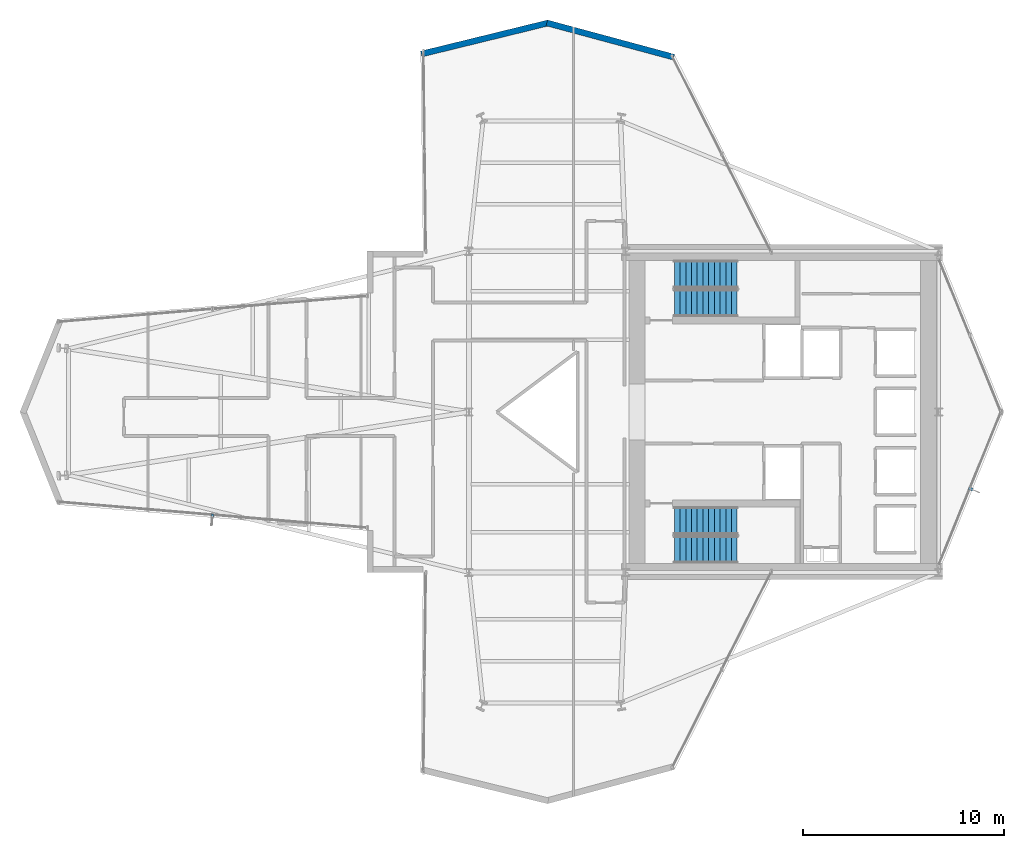
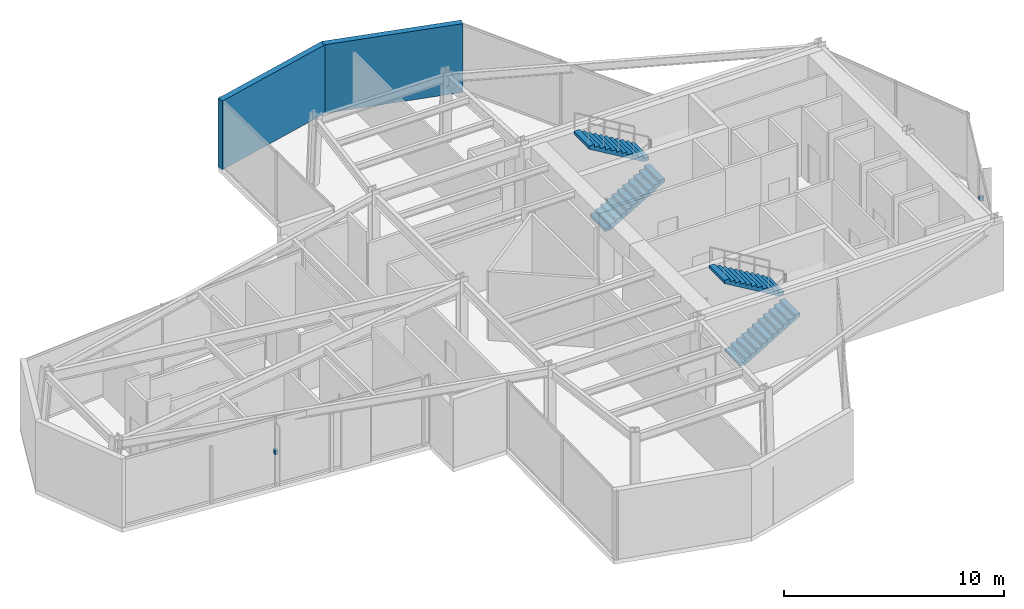
# One storey, part 24 of 25: 4 stair flights, 2 discrete accessories, 2 walls, 2 elements without a shape of their own.
"""IFC4 building model written with IfcOpenShell, lengths in metres."""

from ifc_helpers import new_model, si_unit, direction, frame, frame_2d, origin, origin_2d, place, context, subcontext, project, spatial, polyline, rectangle, outline, extrude, material, layer, layer_set, type_object, element, aggregate, save


model = new_model("IFC4")

# Units and contexts
model_context = context("Model", 3, precision=1e-05, world=origin(), true_north=direction((0.0, 1.0)))
body_context = subcontext(model_context, "Body", "Model", "MODEL_VIEW")
ifc_project = project(units=[si_unit("LENGTHUNIT", "METRE"), si_unit("AREAUNIT", "SQUARE_METRE"), si_unit("VOLUMEUNIT", "CUBIC_METRE"), si_unit("PLANEANGLEUNIT", "RADIAN"), si_unit("MASSUNIT", "GRAM", prefix="KILO")], contexts=[model_context])

# Site, building, storey
site_placement = place(None, origin())
site = spatial("IfcSite", under=ifc_project, at=site_placement, CompositionType="ELEMENT")
building_placement = place(site_placement, origin())
building = spatial("IfcBuilding", under=site, at=building_placement, Name="Veymaron Broadcast Tower", CompositionType="ELEMENT")
storey_placement = place(building_placement, frame((0.0, 0.0, 137.10009765625)))
storey = spatial("IfcBuildingStorey", under=building, at=storey_placement, Name="L31", CompositionType="ELEMENT", Elevation=137.10009765625)

# Walls
ifc_material_1 = material(Name="Precast concrete C40/50 with mineral-wool insulation", Category="concrete")
ifc_layer_1 = layer(ifc_material_1, 0.300048828125)
ifc_layer_set_1 = layer_set([ifc_layer_1], Name="Precast concrete C40/50 with mineral-wool insulation")
wall_type = type_object("IfcWallType", Name="WALL-EXT-300", PredefinedType="STANDARD", material=ifc_layer_set_1)
wall_1_placement = place(storey_placement, frame((41.403564453125, 41.6748046875, 0.0), z_axis=(0.0, 0.0, 1.0), x_axis=(-0.965531145086, 0.260287548434, 0.0)))
element("IfcWall", 1, at=wall_1_placement, inside=storey, type_object=wall_type, Name="L31 notched corner facade pier 6-1", PredefinedType="STANDARD", context=body_context, shape_type="SweptSolid", body=[
    extrude(rectangle(XDim=6.55078125, YDim=0.300048828125, at=frame_2d((3.275390625, 0.0))), origin(), (0.0, 0.0, 1.0), 3.809814453125),
])
wall_2_placement = place(storey_placement, frame((35.148193359375, 43.37890625, 0.0), z_axis=(0.0, 0.0, 1.0), x_axis=(-0.971267606245, -0.23798999361, 0.0)))
element("IfcWall", 2, at=wall_2_placement, inside=storey, type_object=wall_type, Name="L31 notched corner facade pier 7-1", PredefinedType="STANDARD", context=body_context, shape_type="SweptSolid", body=[
    extrude(rectangle(XDim=6.511962890625, YDim=0.300048828125, at=frame_2d((3.255859375, 0.0))), origin(), (0.0, 0.0, 1.0), 3.809814453125),
])

# Stair, stair flights
ifc_material_2 = material(Name="Concrete C50/60", Category="concrete")
stair_type_1 = type_object("IfcStairType", Name="STAIR-CORE-1", PredefinedType="HALF_TURN_STAIR", material=ifc_material_2)
stair_1_placement = place(storey_placement, origin())
stair_1 = element("IfcStair", 3, at=stair_1_placement, inside=storey, type_object=stair_type_1, Name="L31 North protected dog-leg exit stair ST1", PredefinedType="HALF_TURN_STAIR")
ifc_material_3 = material(Name="Precast concrete C50/60", Category="concrete")
stair_flight_type = type_object("IfcStairFlightType", Name="FLT-CORE-RC", PredefinedType="STRAIGHT", material=ifc_material_3)
stair_flight_1_placement = place(storey_placement, frame((41.429931640625, 29.419921875, 0.0), z_axis=(0.0, 0.0, 1.0), x_axis=(1.0, 0.0, 0.0)))
stair_flight_1 = element("IfcStairFlight", 4, at=stair_flight_1_placement, type_object=stair_flight_type, Name="ST1 flight 1", NumberOfRisers=12, NumberOfTreads=11, PredefinedType="STRAIGHT", RiserHeight=0.16875, TreadLength=0.285, context=body_context, shape_type="SweptSolid", body=[
    extrude(outline(polyline([(0.0, 0.0), (0.0, 0.168701171875), (0.284912109375, 0.168701171875), (0.284912109375, 0.33740234375), (0.570068359375, 0.33740234375), (0.570068359375, 0.50634765625), (0.85498046875, 0.50634765625), (0.85498046875, 0.675048828125), (1.139892578125, 0.675048828125), (1.139892578125, 0.84375), (1.425048828125, 0.84375), (1.425048828125, 1.012451171875), (1.7099609375, 1.012451171875), (1.7099609375, 1.18115234375), (1.9951171875, 1.18115234375), (1.9951171875, 1.35009765625), (2.280029296875, 1.35009765625), (2.280029296875, 1.518798828125), (2.56494140625, 1.518798828125), (2.56494140625, 1.6875), (2.85009765625, 1.6875), (2.85009765625, 1.856201171875), (3.135009765625, 1.856201171875), (3.135009765625, 2.02490234375), (3.135009765625, 1.68212890625), (0.294189453125, 0.0), (0.0, 0.0)])), frame((0.0, 0.68994140625, 0.0), z_axis=(0.0, -1.0, 0.0), x_axis=(1.0, 0.0, 0.0)), (0.0, 0.0, 1.0), 1.3798828125),
])
stair_flight_2_placement = place(storey_placement, frame((44.56494140625, 30.860107421875, 2.02490234375), z_axis=(0.0, 0.0, 1.0), x_axis=(-1.0, 0.0, 0.0)))
stair_flight_2 = element("IfcStairFlight", 5, at=stair_flight_2_placement, type_object=stair_flight_type, Name="ST1 flight 2", NumberOfRisers=12, NumberOfTreads=11, PredefinedType="STRAIGHT", RiserHeight=0.16875, TreadLength=0.285, context=body_context, shape_type="SweptSolid", body=[
    extrude(outline(polyline([(0.0, 0.0), (0.0, 0.168701171875), (0.284912109375, 0.168701171875), (0.284912109375, 0.33740234375), (0.570068359375, 0.33740234375), (0.570068359375, 0.50634765625), (0.85498046875, 0.50634765625), (0.85498046875, 0.675048828125), (1.139892578125, 0.675048828125), (1.139892578125, 0.84375), (1.425048828125, 0.84375), (1.425048828125, 1.012451171875), (1.7099609375, 1.012451171875), (1.7099609375, 1.18115234375), (1.9951171875, 1.18115234375), (1.9951171875, 1.35009765625), (2.280029296875, 1.35009765625), (2.280029296875, 1.518798828125), (2.56494140625, 1.518798828125), (2.56494140625, 1.6875), (2.85009765625, 1.6875), (2.85009765625, 1.856201171875), (3.135009765625, 1.856201171875), (3.135009765625, 2.02490234375), (3.135009765625, 1.68212890625), (0.294189453125, 0.0), (0.0, 0.0)])), frame((0.0, 0.68994140625, 0.0), z_axis=(0.0, -1.0, 0.0), x_axis=(1.0, 0.0, 0.0)), (0.0, 0.0, 1.0), 1.3798828125),
])
aggregate(stair_1, [stair_flight_1, stair_flight_2])

stair_type_2 = type_object("IfcStairType", Name="STAIR-CORE-2", PredefinedType="HALF_TURN_STAIR", material=ifc_material_2)
stair_2_placement = place(storey_placement, origin())
stair_2 = element("IfcStair", 6, at=stair_2_placement, inside=storey, type_object=stair_type_2, Name="L31 South protected dog-leg exit stair ST2", PredefinedType="HALF_TURN_STAIR")
stair_flight_3_placement = place(storey_placement, frame((41.429931640625, 17.139892578125, 0.0), z_axis=(0.0, 0.0, 1.0), x_axis=(1.0, 0.0, 0.0)))
stair_flight_3 = element("IfcStairFlight", 7, at=stair_flight_3_placement, type_object=stair_flight_type, Name="ST2 flight 1", NumberOfRisers=12, NumberOfTreads=11, PredefinedType="STRAIGHT", RiserHeight=0.16875, TreadLength=0.285, context=body_context, shape_type="SweptSolid", body=[
    extrude(outline(polyline([(0.0, 0.0), (0.0, 0.168701171875), (0.284912109375, 0.168701171875), (0.284912109375, 0.33740234375), (0.570068359375, 0.33740234375), (0.570068359375, 0.50634765625), (0.85498046875, 0.50634765625), (0.85498046875, 0.675048828125), (1.139892578125, 0.675048828125), (1.139892578125, 0.84375), (1.425048828125, 0.84375), (1.425048828125, 1.012451171875), (1.7099609375, 1.012451171875), (1.7099609375, 1.18115234375), (1.9951171875, 1.18115234375), (1.9951171875, 1.35009765625), (2.280029296875, 1.35009765625), (2.280029296875, 1.518798828125), (2.56494140625, 1.518798828125), (2.56494140625, 1.6875), (2.85009765625, 1.6875), (2.85009765625, 1.856201171875), (3.135009765625, 1.856201171875), (3.135009765625, 2.02490234375), (3.135009765625, 1.68212890625), (0.294189453125, 0.0), (0.0, 0.0)])), frame((0.0, 0.68994140625, 0.0), z_axis=(0.0, -1.0, 0.0), x_axis=(1.0, 0.0, 0.0)), (0.0, 0.0, 1.0), 1.3798828125),
])
stair_flight_4_placement = place(storey_placement, frame((44.56494140625, 18.580078125, 2.02490234375), z_axis=(0.0, 0.0, 1.0), x_axis=(-1.0, 0.0, 0.0)))
stair_flight_4 = element("IfcStairFlight", 8, at=stair_flight_4_placement, type_object=stair_flight_type, Name="ST2 flight 2", NumberOfRisers=12, NumberOfTreads=11, PredefinedType="STRAIGHT", RiserHeight=0.16875, TreadLength=0.285, context=body_context, shape_type="SweptSolid", body=[
    extrude(outline(polyline([(0.0, 0.0), (0.0, 0.168701171875), (0.284912109375, 0.168701171875), (0.284912109375, 0.33740234375), (0.570068359375, 0.33740234375), (0.570068359375, 0.50634765625), (0.85498046875, 0.50634765625), (0.85498046875, 0.675048828125), (1.139892578125, 0.675048828125), (1.139892578125, 0.84375), (1.425048828125, 0.84375), (1.425048828125, 1.012451171875), (1.7099609375, 1.012451171875), (1.7099609375, 1.18115234375), (1.9951171875, 1.18115234375), (1.9951171875, 1.35009765625), (2.280029296875, 1.35009765625), (2.280029296875, 1.518798828125), (2.56494140625, 1.518798828125), (2.56494140625, 1.6875), (2.85009765625, 1.6875), (2.85009765625, 1.856201171875), (3.135009765625, 1.856201171875), (3.135009765625, 2.02490234375), (3.135009765625, 1.68212890625), (0.294189453125, 0.0), (0.0, 0.0)])), frame((0.0, 0.68994140625, 0.0), z_axis=(0.0, -1.0, 0.0), x_axis=(1.0, 0.0, 0.0)), (0.0, 0.0, 1.0), 1.3798828125),
])
aggregate(stair_2, [stair_flight_3, stair_flight_4])

# Discrete accessories
ifc_material_4 = material(Name="Austenitic stainless steel AISI 316L", Category="steel")
ifc_layer_2 = layer(ifc_material_4, 0.1201171875)
ifc_layer_set_2 = layer_set([ifc_layer_2], Name="Austenitic stainless steel AISI 316L")
discrete_accessory_type = type_object("IfcDiscreteAccessoryType", Name="ACC-BRKT-SS1", PredefinedType="BRACKET", material=ifc_layer_set_2)
for number, where, z_axis, x_axis, name in (
    (9, (56.20458984375, 20.15625, 1.794921875), (0.0, 0.0, 1.0), (0.926265751019, -0.376871010412, 0.0), "CW-L31-E2-1 fin bracket 1"),
    (10, (18.416748046875, 18.8115234375, 1.794921875), (0.0, 0.0, 1.0), (-0.083503921245, -0.996507448611, 0.0), "CW-L31-E14-1 fin bracket 1"),
):
    element("IfcDiscreteAccessory", number, at=place(storey_placement, frame(where, z_axis=z_axis, x_axis=x_axis)), inside=storey, type_object=discrete_accessory_type, Name=name, PredefinedType="BRACKET", context=body_context, shape_type="SweptSolid", body=[
        extrude(rectangle(XDim=0.219970703125, YDim=0.139892578125, at=origin_2d()), origin(), (0.0, 0.0, 1.0), 0.219970703125),
    ])

save(model, "model.ifc")
